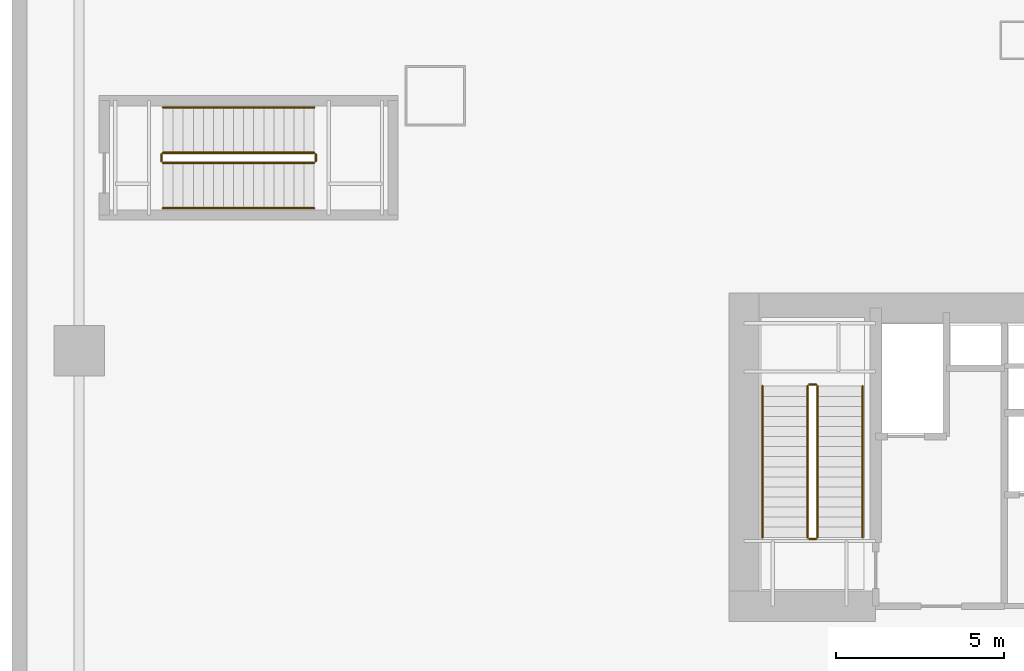
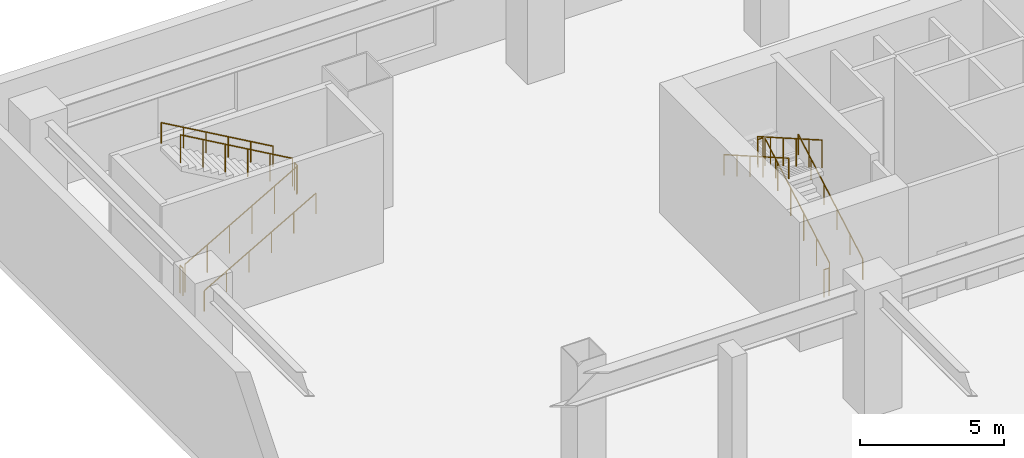
# One storey, part 32 of 35: 12 railings.
"""IFC4 building model written with IfcOpenShell, lengths in metres."""

from ifc_helpers import new_model, si_unit, direction, frame, origin, origin_2d, place, context, subcontext, project, spatial, circle, extrude, material, type_object, element, save


model = new_model("IFC4")

# Units and contexts
model_context = context("Model", 3, precision=1e-05, world=origin(), true_north=direction((0.0, 1.0)))
body_context = subcontext(model_context, "Body", "Model", "MODEL_VIEW")
ifc_project = project(units=[si_unit("LENGTHUNIT", "METRE"), si_unit("AREAUNIT", "SQUARE_METRE"), si_unit("VOLUMEUNIT", "CUBIC_METRE"), si_unit("PLANEANGLEUNIT", "RADIAN"), si_unit("MASSUNIT", "GRAM", prefix="KILO")], contexts=[model_context])

# Site, building, storey
site_placement = place(None, origin())
site = spatial("IfcSite", under=ifc_project, at=site_placement, CompositionType="ELEMENT")
building_placement = place(site_placement, origin())
building = spatial("IfcBuilding", under=site, at=building_placement, Name="Qiaolan Cultural Towers", CompositionType="ELEMENT")
storey_placement = place(building_placement, frame((0.0, 0.0, 6.0)))
storey = spatial("IfcBuildingStorey", under=building, at=storey_placement, Name="L01", CompositionType="ELEMENT", Elevation=6.0)

# Railings
ifc_material_1 = material(Name="Galvanized Painted Steel Stair Guardrail", Category="steel")
railing_type_1 = type_object("IfcRailingType", Name="RL-STAIR-GRD", PredefinedType="GUARDRAIL", material=ifc_material_1)
railing_1_placement = place(storey_placement, frame((23.989990234375, 48.449951171875, 0.171875)))
element("IfcRailing", 1, at=railing_1_placement, inside=storey, type_object=railing_type_1, Name="L01 ST-W2 stair guard 1", PredefinedType="GUARDRAIL", context=body_context, shape_type="SweptSolid", body=[
    extrude(circle(Radius=0.02392578125, at=origin_2d()), frame((0.0, 0.0, 1.17578125), z_axis=(0.0, 0.867686387293, 0.49711199272), x_axis=(-1.0, 0.0, 0.0)), (0.0, 0.0, 1.0), 5.186279296875),
    extrude(circle(Radius=0.02099609375, at=origin_2d()), origin(), (0.0, 0.0, 1.0), 1.15185546875),
    extrude(circle(Radius=0.02099609375, at=origin_2d()), frame((0.0, 0.89990234375, 0.515625)), (0.0, 0.0, 1.0), 1.15185546875),
    extrude(circle(Radius=0.02099609375, at=origin_2d()), frame((0.0, 1.800048828125, 1.03125)), (0.0, 0.0, 1.0), 1.15185546875),
    extrude(circle(Radius=0.02099609375, at=origin_2d()), frame((0.0, 2.699951171875, 1.546875)), (0.0, 0.0, 1.0), 1.15185546875),
    extrude(circle(Radius=0.02099609375, at=origin_2d()), frame((0.0, 3.60009765625, 2.0625)), (0.0, 0.0, 1.0), 1.15185546875),
    extrude(circle(Radius=0.02099609375, at=origin_2d()), frame((0.0, 4.5, 2.578125)), (0.0, 0.0, 1.0), 1.15185546875),
])
railing_2_placement = place(storey_placement, frame((23.93994140625, 53.0, 2.75)))
element("IfcRailing", 2, at=railing_2_placement, inside=storey, type_object=railing_type_1, Name="L01 ST-W2 stair guard 2", PredefinedType="GUARDRAIL", context=body_context, shape_type="SweptSolid", body=[
    extrude(circle(Radius=0.02392578125, at=origin_2d()), frame((0.0, 0.0, 1.17578125), z_axis=(-1.0, 0.0, 0.0), x_axis=(0.0, -1.0, 0.0)), (0.0, 0.0, 1.0), 0.199951171875),
    extrude(circle(Radius=0.02099609375, at=origin_2d()), origin(), (0.0, 0.0, 1.0), 1.15185546875),
    extrude(circle(Radius=0.02099609375, at=origin_2d()), frame((-0.199951171875, 0.0, 0.0)), (0.0, 0.0, 1.0), 1.15185546875),
])
railing_3_placement = place(storey_placement, frame((23.68994140625, 52.949951171875, 2.921875)))
element("IfcRailing", 3, at=railing_3_placement, inside=storey, type_object=railing_type_1, Name="L01 ST-W2 stair guard 3", PredefinedType="GUARDRAIL", context=body_context, shape_type="SweptSolid", body=[
    extrude(circle(Radius=0.02392578125, at=origin_2d()), frame((0.0, 0.0, 1.17578125), z_axis=(0.0, -0.867686387293, 0.49711199272), x_axis=(1.0, 0.0, 0.0)), (0.0, 0.0, 1.0), 5.186279296875),
    extrude(circle(Radius=0.02099609375, at=origin_2d()), origin(), (0.0, 0.0, 1.0), 1.15185546875),
    extrude(circle(Radius=0.02099609375, at=origin_2d()), frame((0.0, -0.89990234375, 0.515625)), (0.0, 0.0, 1.0), 1.15185546875),
    extrude(circle(Radius=0.02099609375, at=origin_2d()), frame((0.0, -1.800048828125, 1.03125)), (0.0, 0.0, 1.0), 1.15185546875),
    extrude(circle(Radius=0.02099609375, at=origin_2d()), frame((0.0, -2.699951171875, 1.546875)), (0.0, 0.0, 1.0), 1.15185546875),
    extrude(circle(Radius=0.02099609375, at=origin_2d()), frame((0.0, -3.60009765625, 2.0625)), (0.0, 0.0, 1.0), 1.15185546875),
    extrude(circle(Radius=0.02099609375, at=origin_2d()), frame((0.0, -4.5, 2.578125)), (0.0, 0.0, 1.0), 1.15185546875),
])
railing_4_placement = place(storey_placement, frame((23.93994140625, 48.39990234375, 0.0)))
element("IfcRailing", 4, at=railing_4_placement, inside=storey, type_object=railing_type_1, Name="L01 ST-W2 stair guard 4", PredefinedType="GUARDRAIL", context=body_context, shape_type="SweptSolid", body=[
    extrude(circle(Radius=0.02392578125, at=origin_2d()), frame((0.0, 0.0, 1.17578125), z_axis=(-1.0, 0.0, 0.0), x_axis=(0.0, -1.0, 0.0)), (0.0, 0.0, 1.0), 0.199951171875),
    extrude(circle(Radius=0.02099609375, at=origin_2d()), origin(), (0.0, 0.0, 1.0), 1.15185546875),
    extrude(circle(Radius=0.02099609375, at=origin_2d()), frame((-0.199951171875, 0.0, 0.0)), (0.0, 0.0, 1.0), 1.15185546875),
])
railing_5_placement = place(storey_placement, frame((4.5, 59.60009765625, 0.171875)))
element("IfcRailing", 5, at=railing_5_placement, inside=storey, type_object=railing_type_1, Name="L01 ST-P1 stair guard 1", PredefinedType="GUARDRAIL", context=body_context, shape_type="SweptSolid", body=[
    extrude(circle(Radius=0.02392578125, at=origin_2d()), frame((0.0, 0.0, 1.17578125), z_axis=(0.867686387293, 0.0, 0.49711199272), x_axis=(0.0, 1.0, 0.0)), (0.0, 0.0, 1.0), 5.186279296875),
    extrude(circle(Radius=0.02099609375, at=origin_2d()), origin(), (0.0, 0.0, 1.0), 1.15185546875),
    extrude(circle(Radius=0.02099609375, at=origin_2d()), frame((0.89990234375, 0.0, 0.515625)), (0.0, 0.0, 1.0), 1.15185546875),
    extrude(circle(Radius=0.02099609375, at=origin_2d()), frame((1.800048828125, 0.0, 1.03125)), (0.0, 0.0, 1.0), 1.15185546875),
    extrude(circle(Radius=0.02099609375, at=origin_2d()), frame((2.699951171875, 0.0, 1.546875)), (0.0, 0.0, 1.0), 1.15185546875),
    extrude(circle(Radius=0.02099609375, at=origin_2d()), frame((3.60009765625, 0.0, 2.0625)), (0.0, 0.0, 1.0), 1.15185546875),
    extrude(circle(Radius=0.02099609375, at=origin_2d()), frame((4.5, 0.0, 2.578125)), (0.0, 0.0, 1.0), 1.15185546875),
])
railing_6_placement = place(storey_placement, frame((9.050048828125, 59.64990234375, 2.75)))
element("IfcRailing", 6, at=railing_6_placement, inside=storey, type_object=railing_type_1, Name="L01 ST-P1 stair guard 2", PredefinedType="GUARDRAIL", context=body_context, shape_type="SweptSolid", body=[
    extrude(circle(Radius=0.02392578125, at=origin_2d()), frame((0.0, 0.0, 1.17578125), z_axis=(0.0, 1.0, 0.0), x_axis=(-1.0, 0.0, 0.0)), (0.0, 0.0, 1.0), 0.2001953125),
    extrude(circle(Radius=0.02099609375, at=origin_2d()), origin(), (0.0, 0.0, 1.0), 1.15185546875),
    extrude(circle(Radius=0.02099609375, at=origin_2d()), frame((0.0, 0.2001953125, 0.0)), (0.0, 0.0, 1.0), 1.15185546875),
])
railing_7_placement = place(storey_placement, frame((9.0, 59.89990234375, 2.921875)))
element("IfcRailing", 7, at=railing_7_placement, inside=storey, type_object=railing_type_1, Name="L01 ST-P1 stair guard 3", PredefinedType="GUARDRAIL", context=body_context, shape_type="SweptSolid", body=[
    extrude(circle(Radius=0.02392578125, at=origin_2d()), frame((0.0, 0.0, 1.17578125), z_axis=(-0.867686387293, 0.0, 0.49711199272), x_axis=(0.0, -1.0, 0.0)), (0.0, 0.0, 1.0), 5.186279296875),
    extrude(circle(Radius=0.02099609375, at=origin_2d()), origin(), (0.0, 0.0, 1.0), 1.15185546875),
    extrude(circle(Radius=0.02099609375, at=origin_2d()), frame((-0.89990234375, 0.0, 0.515625)), (0.0, 0.0, 1.0), 1.15185546875),
    extrude(circle(Radius=0.02099609375, at=origin_2d()), frame((-1.800048828125, 0.0, 1.03125)), (0.0, 0.0, 1.0), 1.15185546875),
    extrude(circle(Radius=0.02099609375, at=origin_2d()), frame((-2.699951171875, 0.0, 1.546875)), (0.0, 0.0, 1.0), 1.15185546875),
    extrude(circle(Radius=0.02099609375, at=origin_2d()), frame((-3.60009765625, 0.0, 2.0625)), (0.0, 0.0, 1.0), 1.15185546875),
    extrude(circle(Radius=0.02099609375, at=origin_2d()), frame((-4.5, 0.0, 2.578125)), (0.0, 0.0, 1.0), 1.15185546875),
])
railing_8_placement = place(storey_placement, frame((4.449951171875, 59.64990234375, 0.0)))
element("IfcRailing", 8, at=railing_8_placement, inside=storey, type_object=railing_type_1, Name="L01 ST-P1 stair guard 4", PredefinedType="GUARDRAIL", context=body_context, shape_type="SweptSolid", body=[
    extrude(circle(Radius=0.02392578125, at=origin_2d()), frame((0.0, 0.0, 1.17578125), z_axis=(0.0, 1.0, 0.0), x_axis=(-1.0, 0.0, 0.0)), (0.0, 0.0, 1.0), 0.2001953125),
    extrude(circle(Radius=0.02099609375, at=origin_2d()), origin(), (0.0, 0.0, 1.0), 1.15185546875),
    extrude(circle(Radius=0.02099609375, at=origin_2d()), frame((0.0, 0.2001953125, 0.0)), (0.0, 0.0, 1.0), 1.15185546875),
])
ifc_material_2 = material(Name="Stainless Steel S30408 Tubular Handrail", Category="steel")
railing_type_2 = type_object("IfcRailingType", Name="RL-STAIR-HR", PredefinedType="HANDRAIL", material=ifc_material_2)
railing_9_placement = place(storey_placement, frame((25.330078125, 48.449951171875, 0.171875)))
element("IfcRailing", 9, at=railing_9_placement, inside=storey, type_object=railing_type_2, Name="L01 ST-W2 stair handrail 1", PredefinedType="HANDRAIL", context=body_context, shape_type="SweptSolid", body=[
    extrude(circle(Radius=0.02392578125, at=origin_2d()), frame((0.0, 0.0, 0.8759765625), z_axis=(0.0, 0.867686387293, 0.49711199272), x_axis=(-1.0, 0.0, 0.0)), (0.0, 0.0, 1.0), 5.186279296875),
    extrude(circle(Radius=0.02099609375, at=origin_2d()), origin(), (0.0, 0.0, 1.0), 0.851806640625),
    extrude(circle(Radius=0.02099609375, at=origin_2d()), frame((0.0, 0.89990234375, 0.515625)), (0.0, 0.0, 1.0), 0.851806640625),
    extrude(circle(Radius=0.02099609375, at=origin_2d()), frame((0.0, 1.800048828125, 1.03125)), (0.0, 0.0, 1.0), 0.851806640625),
    extrude(circle(Radius=0.02099609375, at=origin_2d()), frame((0.0, 2.699951171875, 1.546875)), (0.0, 0.0, 1.0), 0.851806640625),
    extrude(circle(Radius=0.02099609375, at=origin_2d()), frame((0.0, 3.60009765625, 2.0625)), (0.0, 0.0, 1.0), 0.851806640625),
    extrude(circle(Radius=0.02099609375, at=origin_2d()), frame((0.0, 4.5, 2.578125)), (0.0, 0.0, 1.0), 0.851806640625),
])
railing_10_placement = place(storey_placement, frame((22.35009765625, 52.949951171875, 2.921875)))
element("IfcRailing", 10, at=railing_10_placement, inside=storey, type_object=railing_type_2, Name="L01 ST-W2 stair handrail 2", PredefinedType="HANDRAIL", context=body_context, shape_type="SweptSolid", body=[
    extrude(circle(Radius=0.02392578125, at=origin_2d()), frame((0.0, 0.0, 0.8759765625), z_axis=(0.0, -0.867686387293, 0.49711199272), x_axis=(1.0, 0.0, 0.0)), (0.0, 0.0, 1.0), 5.186279296875),
    extrude(circle(Radius=0.02099609375, at=origin_2d()), origin(), (0.0, 0.0, 1.0), 0.851806640625),
    extrude(circle(Radius=0.02099609375, at=origin_2d()), frame((0.0, -0.89990234375, 0.515625)), (0.0, 0.0, 1.0), 0.851806640625),
    extrude(circle(Radius=0.02099609375, at=origin_2d()), frame((0.0, -1.800048828125, 1.03125)), (0.0, 0.0, 1.0), 0.851806640625),
    extrude(circle(Radius=0.02099609375, at=origin_2d()), frame((0.0, -2.699951171875, 1.546875)), (0.0, 0.0, 1.0), 0.851806640625),
    extrude(circle(Radius=0.02099609375, at=origin_2d()), frame((0.0, -3.60009765625, 2.0625)), (0.0, 0.0, 1.0), 0.851806640625),
    extrude(circle(Radius=0.02099609375, at=origin_2d()), frame((0.0, -4.5, 2.578125)), (0.0, 0.0, 1.0), 0.851806640625),
])
railing_11_placement = place(storey_placement, frame((4.5, 58.25, 0.171875)))
element("IfcRailing", 11, at=railing_11_placement, inside=storey, type_object=railing_type_2, Name="L01 ST-P1 stair handrail 1", PredefinedType="HANDRAIL", context=body_context, shape_type="SweptSolid", body=[
    extrude(circle(Radius=0.02392578125, at=origin_2d()), frame((0.0, 0.0, 0.8759765625), z_axis=(0.867686387293, 0.0, 0.49711199272), x_axis=(0.0, 1.0, 0.0)), (0.0, 0.0, 1.0), 5.186279296875),
    extrude(circle(Radius=0.02099609375, at=origin_2d()), origin(), (0.0, 0.0, 1.0), 0.851806640625),
    extrude(circle(Radius=0.02099609375, at=origin_2d()), frame((0.89990234375, 0.0, 0.515625)), (0.0, 0.0, 1.0), 0.851806640625),
    extrude(circle(Radius=0.02099609375, at=origin_2d()), frame((1.800048828125, 0.0, 1.03125)), (0.0, 0.0, 1.0), 0.851806640625),
    extrude(circle(Radius=0.02099609375, at=origin_2d()), frame((2.699951171875, 0.0, 1.546875)), (0.0, 0.0, 1.0), 0.851806640625),
    extrude(circle(Radius=0.02099609375, at=origin_2d()), frame((3.60009765625, 0.0, 2.0625)), (0.0, 0.0, 1.0), 0.851806640625),
    extrude(circle(Radius=0.02099609375, at=origin_2d()), frame((4.5, 0.0, 2.578125)), (0.0, 0.0, 1.0), 0.851806640625),
])
railing_12_placement = place(storey_placement, frame((9.0, 61.25, 2.921875)))
element("IfcRailing", 12, at=railing_12_placement, inside=storey, type_object=railing_type_2, Name="L01 ST-P1 stair handrail 2", PredefinedType="HANDRAIL", context=body_context, shape_type="SweptSolid", body=[
    extrude(circle(Radius=0.02392578125, at=origin_2d()), frame((0.0, 0.0, 0.8759765625), z_axis=(-0.867686387293, 0.0, 0.49711199272), x_axis=(0.0, -1.0, 0.0)), (0.0, 0.0, 1.0), 5.186279296875),
    extrude(circle(Radius=0.02099609375, at=origin_2d()), origin(), (0.0, 0.0, 1.0), 0.851806640625),
    extrude(circle(Radius=0.02099609375, at=origin_2d()), frame((-0.89990234375, 0.0, 0.515625)), (0.0, 0.0, 1.0), 0.851806640625),
    extrude(circle(Radius=0.02099609375, at=origin_2d()), frame((-1.800048828125, 0.0, 1.03125)), (0.0, 0.0, 1.0), 0.851806640625),
    extrude(circle(Radius=0.02099609375, at=origin_2d()), frame((-2.699951171875, 0.0, 1.546875)), (0.0, 0.0, 1.0), 0.851806640625),
    extrude(circle(Radius=0.02099609375, at=origin_2d()), frame((-3.60009765625, 0.0, 2.0625)), (0.0, 0.0, 1.0), 0.851806640625),
    extrude(circle(Radius=0.02099609375, at=origin_2d()), frame((-4.5, 0.0, 2.578125)), (0.0, 0.0, 1.0), 0.851806640625),
])

save(model, "model.ifc")
